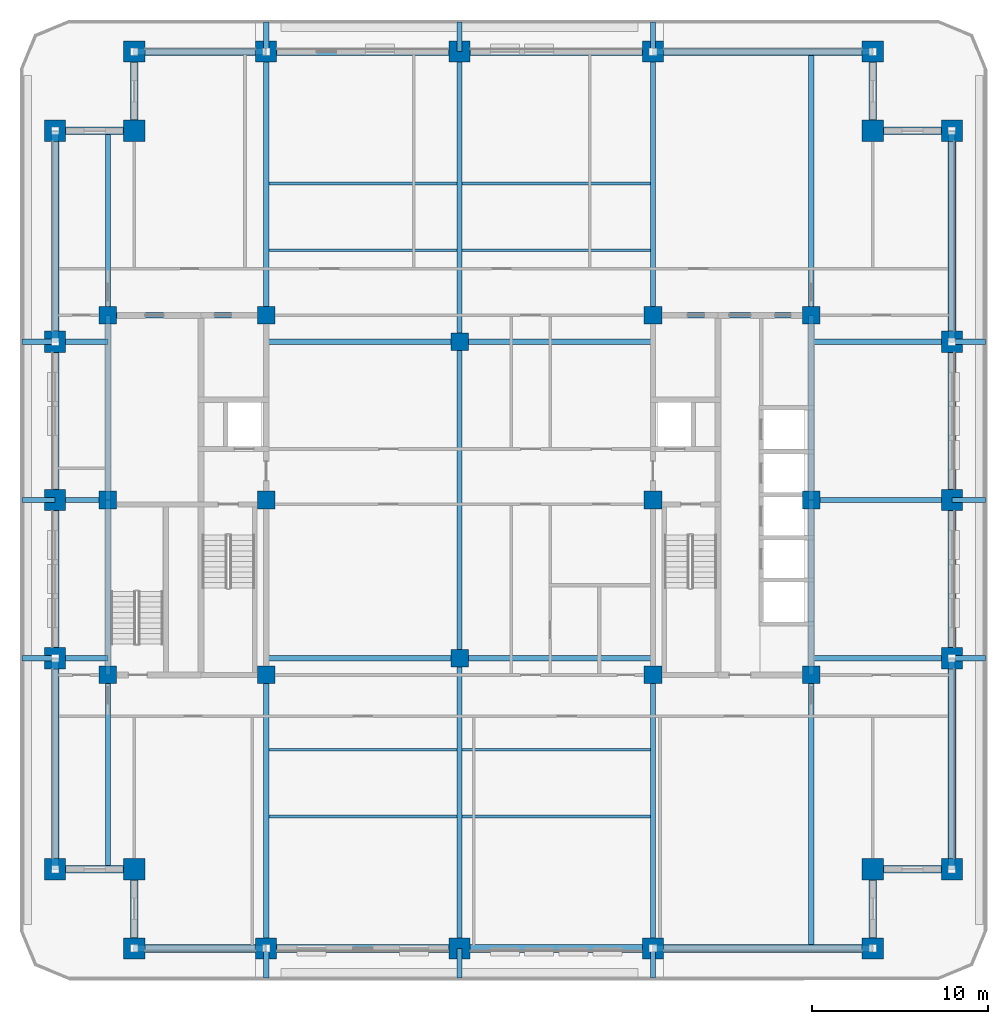
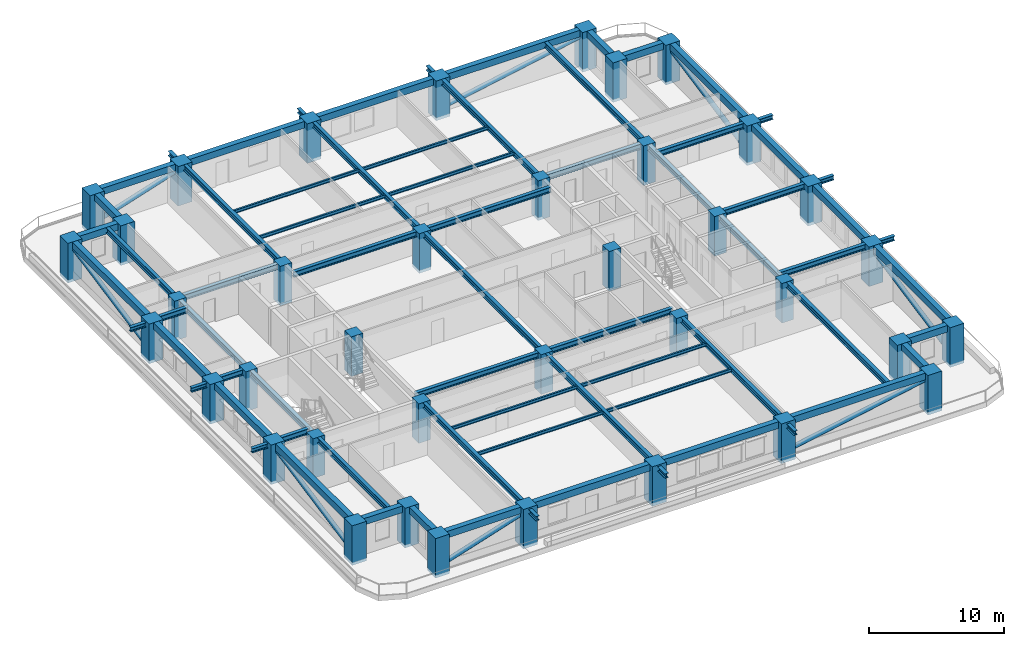
# One storey, part 1 of 13: 71 beams, 38 columns, 8 members.
"""IFC4 building model written with IfcOpenShell, lengths in metres."""

import ifcopenshell
import ifcopenshell.guid

model = None  # the IFC model being written
_history = None  # IfcOwnerHistory: only IFC2X3 demands one
_inside = {}  # id of a spatial element -> (the spatial element, [elements in it])
_under = {}  # id of a project, library or spatial element -> (it, [spatial elements below it])
_declared = {}  # id of a project -> (the project, [libraries it declares])
_typed = {}  # id of a type object -> (the type object, [elements of that type])
_made_of = {}  # id of a material, layer set ... -> (it, [elements and type objects made of it])


def new_model(schema):
    """Start an empty IFC model of exactly this schema.

    Asked for "IFC4X3", IfcOpenShell would pick the latest addendum, in which some entities
    have other attributes; the version numbers below select the first issue.
    IFC2X3 requires an IfcOwnerHistory on every rooted entity: one is made here for all.
    """
    global model, _history
    if schema == "IFC4X3":
        model = ifcopenshell.file(schema_version=(4, 3, 0, 0))
    else:
        model = ifcopenshell.file(schema=schema)
    _inside.clear()
    _under.clear()
    _declared.clear()
    _typed.clear()
    _made_of.clear()
    _history = None
    if model.schema == "IFC2X3":
        org = make("IfcOrganization", Name="unknown")
        user = make(
            "IfcPersonAndOrganization",
            ThePerson=make("IfcPerson", FamilyName="unknown"),
            TheOrganization=org,
        )
        app = make(
            "IfcApplication",
            ApplicationDeveloper=org,
            Version="unknown",
            ApplicationFullName="unknown",
            ApplicationIdentifier="unknown",
        )
        _history = make(
            "IfcOwnerHistory",
            OwningUser=user,
            OwningApplication=app,
            ChangeAction="ADDED",
            CreationDate=0,
        )
    return model


def make(cls, **values):
    """One entity of the class cls with the attributes given. An attribute that is None is left unset."""
    return model.create_entity(
        cls, **{name: value for name, value in values.items() if value is not None}
    )


def rooted(cls, **values):
    """An entity with a GlobalId (a new one), such as an element, a storey or a relation."""
    return make(cls, GlobalId=ifcopenshell.guid.new(), OwnerHistory=_history, **values)


def si_unit(unit_type, name, prefix=None):
    """IfcSIUnit, for example si_unit("LENGTHUNIT", "METRE", prefix="MILLI")."""
    return make("IfcSIUnit", UnitType=unit_type, Prefix=prefix, Name=name)


def assignment(units):
    """IfcUnitAssignment: the units of a project."""
    return None if units is None else make("IfcUnitAssignment", Units=units)


def point(xyz):
    """IfcCartesianPoint."""
    return None if xyz is None else make("IfcCartesianPoint", Coordinates=xyz)


def direction(xyz):
    """IfcDirection."""
    return None if xyz is None else make("IfcDirection", DirectionRatios=xyz)


def frame(location, z_axis=None, x_axis=None):
    """IfcAxis2Placement3D, a coordinate frame: its origin and axes. An axis left out is left unset."""
    return make(
        "IfcAxis2Placement3D",
        Location=point(location),
        Axis=direction(z_axis),
        RefDirection=direction(x_axis),
    )


def frame_2d(location, x_axis=None):
    """IfcAxis2Placement2D, a coordinate frame in the plane: its origin and x axis."""
    return make(
        "IfcAxis2Placement2D", Location=point(location), RefDirection=direction(x_axis)
    )


def origin():
    """The frame at (0, 0, 0) with its axes left unset."""
    return frame((0.0, 0.0, 0.0))


def origin_2d():
    """The frame at (0, 0) in the plane with its x axis left unset."""
    return frame_2d((0.0, 0.0))


def place(relative_to, where):
    """IfcLocalPlacement: puts the frame where relative to a parent placement (None: the world)."""
    return make(
        "IfcLocalPlacement", PlacementRelTo=relative_to, RelativePlacement=where
    )


def context(
    kind, dimensions, precision=None, world=None, true_north=None, identifier=None
):
    """IfcGeometricRepresentationContext, for example the 3D "Model" context."""
    return make(
        "IfcGeometricRepresentationContext",
        ContextIdentifier=identifier,
        ContextType=kind,
        CoordinateSpaceDimension=dimensions,
        Precision=precision,
        WorldCoordinateSystem=world,
        TrueNorth=true_north,
    )


def subcontext(parent, identifier, kind, view, scale=None):
    """IfcGeometricRepresentationSubContext, for example "Body" below "Model"."""
    return make(
        "IfcGeometricRepresentationSubContext",
        ContextIdentifier=identifier,
        ContextType=kind,
        ParentContext=parent,
        TargetScale=scale,
        TargetView=view,
    )


def project(units=None, contexts=None):
    """IfcProject with its units and contexts."""
    return rooted(
        "IfcProject",
        Name="project",
        RepresentationContexts=contexts,
        UnitsInContext=assignment(units),
    )


def spatial(cls, under=None, at=None, **own):
    """A site, building, storey or space (cls), placed at a placement, below another one or the project."""
    s = rooted(cls, ObjectPlacement=at, **own)
    if under is not None:
        _under.setdefault(under.id(), (under, []))[1].append(s)
    return s


def profile(cls, at=None, kind="AREA", **sizes):
    """A parametric profile (cls). Its sizes go by their IFC names, for example OverallWidth=200.0."""
    return make(cls, ProfileType=kind, Position=at, **sizes)


def rectangle(**sizes):
    """IfcRectangleProfileDef."""
    return profile("IfcRectangleProfileDef", **sizes)


def hollow_circle(**sizes):
    """IfcCircleHollowProfileDef."""
    return profile("IfcCircleHollowProfileDef", **sizes)


def i_section(**sizes):
    """IfcIShapeProfileDef."""
    return profile("IfcIShapeProfileDef", **sizes)


def extrude(swept, where, along, depth):
    """IfcExtrudedAreaSolid: the profile swept, set in the frame where, extruded along a direction by depth."""
    return make(
        "IfcExtrudedAreaSolid",
        SweptArea=swept,
        Position=where,
        ExtrudedDirection=direction(along),
        Depth=depth,
    )


def shape(context_of_items, identifier, shape_type, items):
    """IfcShapeRepresentation: the items that make up one representation, for example the "Body"."""
    return make(
        "IfcShapeRepresentation",
        ContextOfItems=context_of_items,
        RepresentationIdentifier=identifier,
        RepresentationType=shape_type,
        Items=items,
    )


def material(Name=None, Category=None):
    """IfcMaterial."""
    return make("IfcMaterial", Name=Name, Category=Category)


def material_profile(
    of_material, cross_section, Name=None, Category=None, Priority=None
):
    """IfcMaterialProfile: a cross section and its material."""
    return make(
        "IfcMaterialProfile",
        Name=Name,
        Material=of_material,
        Profile=cross_section,
        Priority=Priority,
        Category=Category,
    )


def profile_set(profiles, Name=None, composite=None):
    """IfcMaterialProfileSet."""
    return make(
        "IfcMaterialProfileSet",
        Name=Name,
        MaterialProfiles=profiles,
        CompositeProfile=composite,
    )


def made_of(thing, what):
    """Note that an element or type object is made of a material, layer set ...; save() writes the relation."""
    if what is not None:
        _made_of.setdefault(what.id(), (what, []))[1].append(thing)
    return thing


def type_object(cls, material=None, **own):
    """A type object (cls), such as IfcWallType, which elements share."""
    return made_of(rooted(cls, **own), material)


def element(
    cls,
    number,
    at=None,
    inside=None,
    cuts=None,
    type_object=None,
    material=None,
    context=None,
    identifier="Body",
    shape_type=None,
    held_by="IfcProductDefinitionShape",
    body=None,
    shapes=None,
    **own,
):
    """One element of the class cls, such as IfcWall. Its Tag is "e" and its number.

    at: its placement. inside: the storey or other place that contains it. cuts: it is an
    opening in that element (IfcRelVoidsElement). A single representation is given by context,
    identifier, shape_type and body (its items); several are given by shapes. held_by: the class
    of the entity that holds the representations. save() writes the other relations.
    """
    e = rooted(cls, Tag="e%d" % number, ObjectPlacement=at, **own)
    if body is not None:
        shapes = [shape(context, identifier, shape_type, body)]
    if shapes is not None:
        e.Representation = make(held_by, Representations=shapes)
    if inside is not None:
        _inside.setdefault(inside.id(), (inside, []))[1].append(e)
    if cuts is not None:
        rooted(
            "IfcRelVoidsElement", RelatingBuildingElement=cuts, RelatedOpeningElement=e
        )
    if type_object is not None:
        _typed.setdefault(type_object.id(), (type_object, []))[1].append(e)
    return made_of(e, material)


def aggregate(whole, parts):
    """IfcRelAggregates: a whole, such as a stair, and the parts it consists of."""
    return rooted("IfcRelAggregates", RelatingObject=whole, RelatedObjects=parts)


def save(model, path):
    """Write the relations noted so far, then the file.

    IfcRelAggregates (storeys below a building ...), IfcRelContainedInSpatialStructure (elements
    in a storey), IfcRelDefinesByType, IfcRelAssociatesMaterial and IfcRelDeclares: one each for
    every whole, place, type object, material and project.
    """
    for whole, parts in _under.values():
        aggregate(whole, parts)
    for where, things in _inside.values():
        rooted(
            "IfcRelContainedInSpatialStructure",
            RelatedElements=things,
            RelatingStructure=where,
        )
    for kind, things in _typed.values():
        rooted("IfcRelDefinesByType", RelatedObjects=things, RelatingType=kind)
    for what, things in _made_of.values():
        rooted("IfcRelAssociatesMaterial", RelatedObjects=things, RelatingMaterial=what)
    for by, libraries in _declared.values():
        rooted("IfcRelDeclares", RelatingContext=by, RelatedDefinitions=libraries)
    model.write(path)


model = new_model("IFC4")

# Units and contexts
model_context = context("Model", 3, precision=1e-05, world=origin(), true_north=direction((0.0, 1.0)))
body_context = subcontext(model_context, "Body", "Model", "MODEL_VIEW")
ifc_project = project(units=[si_unit("LENGTHUNIT", "METRE"), si_unit("AREAUNIT", "SQUARE_METRE"), si_unit("VOLUMEUNIT", "CUBIC_METRE"), si_unit("PLANEANGLEUNIT", "RADIAN"), si_unit("MASSUNIT", "GRAM", prefix="KILO")], contexts=[model_context])

# Site, building, storey
site_placement = place(None, origin())
site = spatial("IfcSite", under=ifc_project, at=site_placement, CompositionType="ELEMENT")
building_placement = place(site_placement, origin())
building = spatial("IfcBuilding", under=site, at=building_placement, Name="Zulmaris Gate Convention Tower", CompositionType="ELEMENT")
storey_placement = place(building_placement, frame((0.0, 0.0, 105.639892578125)))
storey = spatial("IfcBuildingStorey", under=building, at=storey_placement, Name="L26", CompositionType="ELEMENT", Elevation=105.639892578125)

# Columns
ifc_material_1 = material(Name="Concrete C60/75", Category="concrete")
ifc_material_profile_1 = material_profile(ifc_material_1, rectangle(XDim=1.0, YDim=1.0, at=origin_2d()), Name="RC COL 1000x1000")
ifc_profile_set_1 = profile_set([ifc_material_profile_1], Name="Concrete C60/75")
column_type_1 = type_object("IfcColumnType", Name="COL-RC1000", PredefinedType="COLUMN", material=ifc_profile_set_1)
for number, where, z_axis, x_axis, name in (
    (1, (-20.0, -9.949951171875, -0.25), (0.0, 0.0, 1.0), (1.0, 0.0, 0.0), "L26 Column IN--20.00_-9.95"),
    (2, (-20.0, 10.5, -0.25), (0.0, 0.0, 1.0), (1.0, 0.0, 0.0), "L26 Column IN--20.00_+10.50"),
    (3, (-11.0, -9.949951171875, -0.25), (0.0, 0.0, 1.0), (1.0, 0.0, 0.0), "L26 Column IN--11.00_-9.95"),
    (4, (-11.0, 0.0, -0.25), (0.0, 0.0, 1.0), (1.0, 0.0, 0.0), "L26 Column IN--11.00_+0.00"),
    (5, (-11.0, 10.5, -0.25), (0.0, 0.0, 1.0), (1.0, 0.0, 0.0), "L26 Column IN--11.00_+10.50"),
    (6, (11.0, -9.949951171875, -0.25), (0.0, 0.0, 1.0), (1.0, 0.0, 0.0), "L26 Column IN-+11.00_-9.95"),
    (7, (11.0, 0.0, -0.25), (0.0, 0.0, 1.0), (1.0, 0.0, 0.0), "L26 Column IN-+11.00_+0.00"),
    (8, (11.0, 10.5, -0.25), (0.0, 0.0, 1.0), (1.0, 0.0, 0.0), "L26 Column IN-+11.00_+10.50"),
    (9, (20.0, -9.949951171875, -0.25), (0.0, 0.0, 1.0), (1.0, 0.0, 0.0), "L26 Column IN-+20.00_-9.95"),
    (10, (20.0, 10.5, -0.25), (0.0, 0.0, 1.0), (1.0, 0.0, 0.0), "L26 Column IN-+20.00_+10.50"),
    (11, (0.0, -9.0, -0.25), (0.0, 0.0, 1.0), (1.0, 0.0, 0.0), "L26 Column IN-+0.00_-9.00"),
    (12, (0.0, 9.0, -0.25), (0.0, 0.0, 1.0), (1.0, 0.0, 0.0), "L26 Column IN-+0.00_+9.00"),
    (13, (-20.0, 0.0, -0.25), (0.0, 0.0, 1.0), (1.0, 0.0, 0.0), "L26 Column IN--20.00_+0.00"),
    (14, (20.0, 0.0, -0.25), (0.0, 0.0, 1.0), (1.0, 0.0, 0.0), "L26 Column IN-+20.00_+0.00"),
):
    element("IfcColumn", number, at=place(storey_placement, frame(where, z_axis=z_axis, x_axis=x_axis)), inside=storey, type_object=column_type_1, Name=name, PredefinedType="COLUMN", context=body_context, shape_type="SweptSolid", body=[
        extrude(rectangle(XDim=1.0, YDim=1.0, at=origin_2d()), origin(), (0.0, 0.0, 1.0), 3.570068359375),
    ])
ifc_material_2 = material(Name="Concrete C70/85", Category="concrete")
ifc_material_profile_2 = material_profile(ifc_material_2, rectangle(XDim=1.199951171875, YDim=1.199951171875, at=origin_2d()), Name="RC COL 1200x1200")
ifc_profile_set_2 = profile_set([ifc_material_profile_2], Name="Concrete C70/85")
column_type_2 = type_object("IfcColumnType", Name="COL-RC1200", PredefinedType="COLUMN", material=ifc_profile_set_2)
for number, where, z_axis, x_axis, name in (
    (15, (-18.5, -25.5, -0.25), (0.0, 0.0, 1.0), (1.0, 0.0, 0.0), "L26 Column PT--18.50_-25.50"),
    (16, (-11.0, -25.5, -0.25), (0.0, 0.0, 1.0), (1.0, 0.0, 0.0), "L26 Column PT--11.00_-25.50"),
    (17, (0.0, -25.5, -0.25), (0.0, 0.0, 1.0), (1.0, 0.0, 0.0), "L26 Column PT-+0.00_-25.50"),
    (18, (11.0, -25.5, -0.25), (0.0, 0.0, 1.0), (1.0, 0.0, 0.0), "L26 Column PT-+11.00_-25.50"),
    (19, (23.5, -25.5, -0.25), (0.0, 0.0, 1.0), (1.0, 0.0, 0.0), "L26 Column PT-+23.50_-25.50"),
    (20, (-18.5, 25.5, -0.25), (0.0, 0.0, 1.0), (1.0, 0.0, 0.0), "L26 Column PT--18.50_+25.50"),
    (21, (-11.0, 25.5, -0.25), (0.0, 0.0, 1.0), (1.0, 0.0, 0.0), "L26 Column PT--11.00_+25.50"),
    (22, (0.0, 25.5, -0.25), (0.0, 0.0, 1.0), (1.0, 0.0, 0.0), "L26 Column PT-+0.00_+25.50"),
    (23, (11.0, 25.5, -0.25), (0.0, 0.0, 1.0), (1.0, 0.0, 0.0), "L26 Column PT-+11.00_+25.50"),
    (24, (23.5, 25.5, -0.25), (0.0, 0.0, 1.0), (1.0, 0.0, 0.0), "L26 Column PT-+23.50_+25.50"),
    (25, (-23.0, -21.0, -0.25), (0.0, 0.0, 1.0), (1.0, 0.0, 0.0), "L26 Column PT--23.00_-21.00"),
    (26, (-23.0, -9.0, -0.25), (0.0, 0.0, 1.0), (1.0, 0.0, 0.0), "L26 Column PT--23.00_-9.00"),
    (27, (-23.0, 0.0, -0.25), (0.0, 0.0, 1.0), (1.0, 0.0, 0.0), "L26 Column PT--23.00_+0.00"),
    (28, (-23.0, 9.0, -0.25), (0.0, 0.0, 1.0), (1.0, 0.0, 0.0), "L26 Column PT--23.00_+9.00"),
    (29, (-23.0, 21.0, -0.25), (0.0, 0.0, 1.0), (1.0, 0.0, 0.0), "L26 Column PT--23.00_+21.00"),
    (30, (28.0, -21.0, -0.25), (0.0, 0.0, 1.0), (1.0, 0.0, 0.0), "L26 Column PT-+28.00_-21.00"),
    (31, (28.0, -9.0, -0.25), (0.0, 0.0, 1.0), (1.0, 0.0, 0.0), "L26 Column PT-+28.00_-9.00"),
    (32, (28.0, 0.0, -0.25), (0.0, 0.0, 1.0), (1.0, 0.0, 0.0), "L26 Column PT-+28.00_+0.00"),
    (33, (28.0, 9.0, -0.25), (0.0, 0.0, 1.0), (1.0, 0.0, 0.0), "L26 Column PT-+28.00_+9.00"),
    (34, (28.0, 21.0, -0.25), (0.0, 0.0, 1.0), (1.0, 0.0, 0.0), "L26 Column PT-+28.00_+21.00"),
    (35, (-18.5, -21.0, -0.25), (0.0, 0.0, 1.0), (1.0, 0.0, 0.0), "L26 Column PT--18.50_-21.00"),
    (36, (23.5, -21.0, -0.25), (0.0, 0.0, 1.0), (1.0, 0.0, 0.0), "L26 Column PT-+23.50_-21.00"),
    (37, (23.5, 21.0, -0.25), (0.0, 0.0, 1.0), (1.0, 0.0, 0.0), "L26 Column PT-+23.50_+21.00"),
    (38, (-18.5, 21.0, -0.25), (0.0, 0.0, 1.0), (1.0, 0.0, 0.0), "L26 Column PT--18.50_+21.00"),
):
    element("IfcColumn", number, at=place(storey_placement, frame(where, z_axis=z_axis, x_axis=x_axis)), inside=storey, type_object=column_type_2, Name=name, PredefinedType="COLUMN", context=body_context, shape_type="SweptSolid", body=[
        extrude(rectangle(XDim=1.199951171875, YDim=1.199951171875, at=origin_2d()), origin(), (0.0, 0.0, 1.0), 3.570068359375),
    ])

# Beams
ifc_material_3 = material(Name="Steel S355", Category="steel")
ifc_material_profile_3 = material_profile(ifc_material_3, i_section(OverallWidth=0.300048828125, OverallDepth=0.39990234375, WebThickness=0.013427734375, FlangeThickness=0.02392578125, FilletRadius=0.027099609375, at=origin_2d()), Name="HEB 400")
ifc_profile_set_3 = profile_set([ifc_material_profile_3], Name="Steel S355")
beam_type_1 = type_object("IfcBeamType", Name="BM-HEB400", PredefinedType="BEAM", material=ifc_profile_set_3)
for number, where, z_axis, x_axis, name in (
    (39, (-11.0, -27.199951171875, 2.980224609375), (0.0, 1.0, 0.0), (-1.0, 0.0, 0.0), "L26 Beam TBRK-L26-S--11"),
    (40, (-11.0, 25.5, 2.980224609375), (0.0, 1.0, 0.0), (-1.0, 0.0, 0.0), "L26 Beam TBRK-L26-N--11"),
    (41, (0.0, -27.199951171875, 2.980224609375), (0.0, 1.0, 0.0), (-1.0, 0.0, 0.0), "L26 Beam TBRK-L26-S-+0"),
    (42, (0.0, 25.5, 2.980224609375), (0.0, 1.0, 0.0), (-1.0, 0.0, 0.0), "L26 Beam TBRK-L26-N-+0"),
    (43, (11.0, -27.199951171875, 2.980224609375), (0.0, 1.0, 0.0), (-1.0, 0.0, 0.0), "L26 Beam TBRK-L26-S-+11"),
    (44, (11.0, 25.5, 2.980224609375), (0.0, 1.0, 0.0), (-1.0, 0.0, 0.0), "L26 Beam TBRK-L26-N-+11"),
):
    element("IfcBeam", number, at=place(storey_placement, frame(where, z_axis=z_axis, x_axis=x_axis)), inside=storey, type_object=beam_type_1, Name=name, PredefinedType="BEAM", context=body_context, shape_type="SweptSolid", body=[
        extrude(i_section(OverallWidth=0.300048828125, OverallDepth=0.39990234375, WebThickness=0.013427734375, FlangeThickness=0.02392578125, FilletRadius=0.027099609375, at=origin_2d()), origin(), (0.0, 0.0, 1.0), 1.699951171875),
    ])
for number, where, z_axis, x_axis, name in (
    (45, (-24.89990234375, -9.0, 2.980224609375), (1.0, 0.0, 0.0), (0.0, 1.0, 0.0), "L26 Beam TBRK-L26-W--9"),
    (46, (28.0, -9.0, 2.980224609375), (1.0, 0.0, 0.0), (0.0, 1.0, 0.0), "L26 Beam TBRK-L26-E--9"),
    (47, (-24.89990234375, 0.0, 2.980224609375), (1.0, 0.0, 0.0), (0.0, 1.0, 0.0), "L26 Beam TBRK-L26-W-+0"),
    (48, (28.0, 0.0, 2.980224609375), (1.0, 0.0, 0.0), (0.0, 1.0, 0.0), "L26 Beam TBRK-L26-E-+0"),
    (49, (-24.89990234375, 9.0, 2.980224609375), (1.0, 0.0, 0.0), (0.0, 1.0, 0.0), "L26 Beam TBRK-L26-W-+9"),
    (50, (28.0, 9.0, 2.980224609375), (1.0, 0.0, 0.0), (0.0, 1.0, 0.0), "L26 Beam TBRK-L26-E-+9"),
):
    element("IfcBeam", number, at=place(storey_placement, frame(where, z_axis=z_axis, x_axis=x_axis)), inside=storey, type_object=beam_type_1, Name=name, PredefinedType="BEAM", context=body_context, shape_type="SweptSolid", body=[
        extrude(i_section(OverallWidth=0.300048828125, OverallDepth=0.39990234375, WebThickness=0.013427734375, FlangeThickness=0.02392578125, FilletRadius=0.027099609375, at=origin_2d()), origin(), (0.0, 0.0, 1.0), 1.89990234375),
    ])
ifc_material_profile_4 = material_profile(ifc_material_3, i_section(OverallWidth=0.300048828125, OverallDepth=0.5, WebThickness=0.014404296875, FlangeThickness=0.028076171875, FilletRadius=0.027099609375, at=origin_2d()), Name="HEB 500")
ifc_profile_set_4 = profile_set([ifc_material_profile_4], Name="Steel S355")
beam_type_2 = type_object("IfcBeamType", Name="BM-HEB500", PredefinedType="BEAM", material=ifc_profile_set_4)
for number, where, z_axis, x_axis, name in (
    (51, (-11.0, -9.0, 3.068115234375), (1.0, 0.0, 0.0), (0.0, 1.0, 0.0), "L26 Beam BM-L26-G01"),
    (52, (0.0, -9.0, 3.068115234375), (1.0, 0.0, 0.0), (0.0, 1.0, 0.0), "L26 Beam BM-L26-G02"),
    (53, (-11.0, 9.0, 3.068115234375), (1.0, 0.0, 0.0), (0.0, 1.0, 0.0), "L26 Beam BM-L26-G03"),
    (54, (0.0, 9.0, 3.068115234375), (1.0, 0.0, 0.0), (0.0, 1.0, 0.0), "L26 Beam BM-L26-G04"),
):
    element("IfcBeam", number, at=place(storey_placement, frame(where, z_axis=z_axis, x_axis=x_axis)), inside=storey, type_object=beam_type_2, Name=name, PredefinedType="BEAM", context=body_context, shape_type="SweptSolid", body=[
        extrude(i_section(OverallWidth=0.300048828125, OverallDepth=0.5, WebThickness=0.014404296875, FlangeThickness=0.028076171875, FilletRadius=0.027099609375, at=origin_2d()), origin(), (0.0, 0.0, 1.0), 11.0),
    ])
beam_1_placement = place(storey_placement, frame((0.0, -25.5, 3.068115234375), z_axis=(0.0, 1.0, 0.0), x_axis=(-1.0, 0.0, 0.0)))
element("IfcBeam", 55, at=beam_1_placement, inside=storey, type_object=beam_type_2, Name="L26 Beam BM-L26-G05", PredefinedType="BEAM", context=body_context, shape_type="SweptSolid", body=[
    extrude(i_section(OverallWidth=0.300048828125, OverallDepth=0.5, WebThickness=0.014404296875, FlangeThickness=0.028076171875, FilletRadius=0.027099609375, at=origin_2d()), origin(), (0.0, 0.0, 1.0), 16.5),
])
beam_2_placement = place(storey_placement, frame((0.0, -9.0, 3.068115234375), z_axis=(0.0, 1.0, 0.0), x_axis=(-1.0, 0.0, 0.0)))
element("IfcBeam", 56, at=beam_2_placement, inside=storey, type_object=beam_type_2, Name="L26 Beam BM-L26-G06", PredefinedType="BEAM", context=body_context, shape_type="SweptSolid", body=[
    extrude(i_section(OverallWidth=0.300048828125, OverallDepth=0.5, WebThickness=0.014404296875, FlangeThickness=0.028076171875, FilletRadius=0.027099609375, at=origin_2d()), origin(), (0.0, 0.0, 1.0), 18.0),
])
beam_3_placement = place(storey_placement, frame((0.0, 9.0, 3.068115234375), z_axis=(0.0, 1.0, 0.0), x_axis=(-1.0, 0.0, 0.0)))
element("IfcBeam", 57, at=beam_3_placement, inside=storey, type_object=beam_type_2, Name="L26 Beam BM-L26-G07", PredefinedType="BEAM", context=body_context, shape_type="SweptSolid", body=[
    extrude(i_section(OverallWidth=0.300048828125, OverallDepth=0.5, WebThickness=0.014404296875, FlangeThickness=0.028076171875, FilletRadius=0.027099609375, at=origin_2d()), origin(), (0.0, 0.0, 1.0), 16.5),
])
beam_4_placement = place(storey_placement, frame((-11.0, -25.5, 3.068115234375), z_axis=(0.0, 1.0, 0.0), x_axis=(-1.0, 0.0, 0.0)))
element("IfcBeam", 58, at=beam_4_placement, inside=storey, type_object=beam_type_2, Name="L26 Beam BM-L26-G08", PredefinedType="BEAM", context=body_context, shape_type="SweptSolid", body=[
    extrude(i_section(OverallWidth=0.300048828125, OverallDepth=0.5, WebThickness=0.014404296875, FlangeThickness=0.028076171875, FilletRadius=0.027099609375, at=origin_2d()), origin(), (0.0, 0.0, 1.0), 15.550048828125),
])
beam_5_placement = place(storey_placement, frame((-11.0, 10.5, 3.068115234375), z_axis=(0.0, 1.0, 0.0), x_axis=(-1.0, 0.0, 0.0)))
element("IfcBeam", 59, at=beam_5_placement, inside=storey, type_object=beam_type_2, Name="L26 Beam BM-L26-G09", PredefinedType="BEAM", context=body_context, shape_type="SweptSolid", body=[
    extrude(i_section(OverallWidth=0.300048828125, OverallDepth=0.5, WebThickness=0.014404296875, FlangeThickness=0.028076171875, FilletRadius=0.027099609375, at=origin_2d()), origin(), (0.0, 0.0, 1.0), 15.0),
])
beam_6_placement = place(storey_placement, frame((11.0, -25.5, 3.068115234375), z_axis=(0.0, 1.0, 0.0), x_axis=(-1.0, 0.0, 0.0)))
element("IfcBeam", 60, at=beam_6_placement, inside=storey, type_object=beam_type_2, Name="L26 Beam BM-L26-G10", PredefinedType="BEAM", context=body_context, shape_type="SweptSolid", body=[
    extrude(i_section(OverallWidth=0.300048828125, OverallDepth=0.5, WebThickness=0.014404296875, FlangeThickness=0.028076171875, FilletRadius=0.027099609375, at=origin_2d()), origin(), (0.0, 0.0, 1.0), 15.550048828125),
])
beam_7_placement = place(storey_placement, frame((11.0, 10.5, 3.068115234375), z_axis=(0.0, 1.0, 0.0), x_axis=(-1.0, 0.0, 0.0)))
element("IfcBeam", 61, at=beam_7_placement, inside=storey, type_object=beam_type_2, Name="L26 Beam BM-L26-G11", PredefinedType="BEAM", context=body_context, shape_type="SweptSolid", body=[
    extrude(i_section(OverallWidth=0.300048828125, OverallDepth=0.5, WebThickness=0.014404296875, FlangeThickness=0.028076171875, FilletRadius=0.027099609375, at=origin_2d()), origin(), (0.0, 0.0, 1.0), 15.0),
])
beam_8_placement = place(storey_placement, frame((-20.0, -21.0, 3.068115234375), z_axis=(0.0, 1.0, 0.0), x_axis=(-1.0, 0.0, 0.0)))
element("IfcBeam", 62, at=beam_8_placement, inside=storey, type_object=beam_type_2, Name="L26 Beam BM-L26-G12", PredefinedType="BEAM", context=body_context, shape_type="SweptSolid", body=[
    extrude(i_section(OverallWidth=0.300048828125, OverallDepth=0.5, WebThickness=0.014404296875, FlangeThickness=0.028076171875, FilletRadius=0.027099609375, at=origin_2d()), origin(), (0.0, 0.0, 1.0), 11.050048828125),
])
beam_9_placement = place(storey_placement, frame((-20.0, 10.5, 3.068115234375), z_axis=(0.0, 1.0, 0.0), x_axis=(-1.0, 0.0, 0.0)))
element("IfcBeam", 63, at=beam_9_placement, inside=storey, type_object=beam_type_2, Name="L26 Beam BM-L26-G13", PredefinedType="BEAM", context=body_context, shape_type="SweptSolid", body=[
    extrude(i_section(OverallWidth=0.300048828125, OverallDepth=0.5, WebThickness=0.014404296875, FlangeThickness=0.028076171875, FilletRadius=0.027099609375, at=origin_2d()), origin(), (0.0, 0.0, 1.0), 10.5),
])
beam_10_placement = place(storey_placement, frame((20.0, -25.5, 3.068115234375), z_axis=(0.0, 1.0, 0.0), x_axis=(-1.0, 0.0, 0.0)))
element("IfcBeam", 64, at=beam_10_placement, inside=storey, type_object=beam_type_2, Name="L26 Beam BM-L26-G14", PredefinedType="BEAM", context=body_context, shape_type="SweptSolid", body=[
    extrude(i_section(OverallWidth=0.300048828125, OverallDepth=0.5, WebThickness=0.014404296875, FlangeThickness=0.028076171875, FilletRadius=0.027099609375, at=origin_2d()), origin(), (0.0, 0.0, 1.0), 15.550048828125),
])
beam_11_placement = place(storey_placement, frame((20.0, 10.5, 3.068115234375), z_axis=(0.0, 1.0, 0.0), x_axis=(-1.0, 0.0, 0.0)))
element("IfcBeam", 65, at=beam_11_placement, inside=storey, type_object=beam_type_2, Name="L26 Beam BM-L26-G15", PredefinedType="BEAM", context=body_context, shape_type="SweptSolid", body=[
    extrude(i_section(OverallWidth=0.300048828125, OverallDepth=0.5, WebThickness=0.014404296875, FlangeThickness=0.028076171875, FilletRadius=0.027099609375, at=origin_2d()), origin(), (0.0, 0.0, 1.0), 15.0),
])
for number, where, z_axis, x_axis, name in (
    (66, (-23.0, -9.0, 3.068115234375), (1.0, 0.0, 0.0), (0.0, 1.0, 0.0), "L26 Beam BM-L26-G16"),
    (67, (-23.0, 0.0, 3.068115234375), (1.0, 0.0, 0.0), (0.0, 1.0, 0.0), "L26 Beam BM-L26-G17"),
    (68, (-23.0, 9.0, 3.068115234375), (1.0, 0.0, 0.0), (0.0, 1.0, 0.0), "L26 Beam BM-L26-G18"),
):
    element("IfcBeam", number, at=place(storey_placement, frame(where, z_axis=z_axis, x_axis=x_axis)), inside=storey, type_object=beam_type_2, Name=name, PredefinedType="BEAM", context=body_context, shape_type="SweptSolid", body=[
        extrude(i_section(OverallWidth=0.300048828125, OverallDepth=0.5, WebThickness=0.014404296875, FlangeThickness=0.028076171875, FilletRadius=0.027099609375, at=origin_2d()), origin(), (0.0, 0.0, 1.0), 3.0),
    ])
for number, where, z_axis, x_axis, name in (
    (69, (20.0, -9.0, 3.068115234375), (1.0, 0.0, 0.0), (0.0, 1.0, 0.0), "L26 Beam BM-L26-G19"),
    (70, (20.0, 0.0, 3.068115234375), (1.0, 0.0, 0.0), (0.0, 1.0, 0.0), "L26 Beam BM-L26-G20"),
    (71, (20.0, 9.0, 3.068115234375), (1.0, 0.0, 0.0), (0.0, 1.0, 0.0), "L26 Beam BM-L26-G21"),
):
    element("IfcBeam", number, at=place(storey_placement, frame(where, z_axis=z_axis, x_axis=x_axis)), inside=storey, type_object=beam_type_2, Name=name, PredefinedType="BEAM", context=body_context, shape_type="SweptSolid", body=[
        extrude(i_section(OverallWidth=0.300048828125, OverallDepth=0.5, WebThickness=0.014404296875, FlangeThickness=0.028076171875, FilletRadius=0.027099609375, at=origin_2d()), origin(), (0.0, 0.0, 1.0), 8.0),
    ])
for number, where, z_axis, x_axis, name in (
    (72, (-20.0, 10.5, 3.068115234375), (1.0, 0.0, 0.0), (0.0, 1.0, 0.0), "L26 Beam BM-L26-G23"),
    (73, (11.0, 10.5, 3.068115234375), (1.0, 0.0, 0.0), (0.0, 1.0, 0.0), "L26 Beam BM-L26-G25"),
):
    element("IfcBeam", number, at=place(storey_placement, frame(where, z_axis=z_axis, x_axis=x_axis)), inside=storey, type_object=beam_type_2, Name=name, PredefinedType="BEAM", context=body_context, shape_type="SweptSolid", body=[
        extrude(i_section(OverallWidth=0.300048828125, OverallDepth=0.5, WebThickness=0.014404296875, FlangeThickness=0.028076171875, FilletRadius=0.027099609375, at=origin_2d()), origin(), (0.0, 0.0, 1.0), 9.0),
    ])
beam_12_placement = place(storey_placement, frame((-20.0, -9.949951171875, 3.068115234375), z_axis=(0.0, 1.0, 0.0), x_axis=(-1.0, 0.0, 0.0)))
element("IfcBeam", 74, at=beam_12_placement, inside=storey, type_object=beam_type_2, Name="L26 Beam BM-L26-G26", PredefinedType="BEAM", context=body_context, shape_type="SweptSolid", body=[
    extrude(i_section(OverallWidth=0.300048828125, OverallDepth=0.5, WebThickness=0.014404296875, FlangeThickness=0.028076171875, FilletRadius=0.027099609375, at=origin_2d()), origin(), (0.0, 0.0, 1.0), 9.949951171875),
])
beam_13_placement = place(storey_placement, frame((-20.0, 0.0, 3.068115234375), z_axis=(0.0, 1.0, 0.0), x_axis=(-1.0, 0.0, 0.0)))
element("IfcBeam", 75, at=beam_13_placement, inside=storey, type_object=beam_type_2, Name="L26 Beam BM-L26-G27", PredefinedType="BEAM", context=body_context, shape_type="SweptSolid", body=[
    extrude(i_section(OverallWidth=0.300048828125, OverallDepth=0.5, WebThickness=0.014404296875, FlangeThickness=0.028076171875, FilletRadius=0.027099609375, at=origin_2d()), origin(), (0.0, 0.0, 1.0), 10.5),
])
beam_14_placement = place(storey_placement, frame((20.0, -9.949951171875, 3.068115234375), z_axis=(0.0, 1.0, 0.0), x_axis=(-1.0, 0.0, 0.0)))
element("IfcBeam", 76, at=beam_14_placement, inside=storey, type_object=beam_type_2, Name="L26 Beam BM-L26-G28", PredefinedType="BEAM", context=body_context, shape_type="SweptSolid", body=[
    extrude(i_section(OverallWidth=0.300048828125, OverallDepth=0.5, WebThickness=0.014404296875, FlangeThickness=0.028076171875, FilletRadius=0.027099609375, at=origin_2d()), origin(), (0.0, 0.0, 1.0), 9.949951171875),
])
beam_15_placement = place(storey_placement, frame((20.0, 0.0, 3.068115234375), z_axis=(0.0, 1.0, 0.0), x_axis=(-1.0, 0.0, 0.0)))
element("IfcBeam", 77, at=beam_15_placement, inside=storey, type_object=beam_type_2, Name="L26 Beam BM-L26-G29", PredefinedType="BEAM", context=body_context, shape_type="SweptSolid", body=[
    extrude(i_section(OverallWidth=0.300048828125, OverallDepth=0.5, WebThickness=0.014404296875, FlangeThickness=0.028076171875, FilletRadius=0.027099609375, at=origin_2d()), origin(), (0.0, 0.0, 1.0), 10.5),
])
ifc_material_4 = material(Name="Precast concrete C50/60", Category="concrete")
ifc_material_profile_5 = material_profile(ifc_material_4, rectangle(XDim=0.449951171875, YDim=0.60009765625, at=origin_2d()), Name="RC SPANDREL 450x600")
ifc_profile_set_5 = profile_set([ifc_material_profile_5], Name="Precast concrete C50/60")
beam_type_3 = type_object("IfcBeamType", Name="BM-SP450x600", PredefinedType="SPANDREL", material=ifc_profile_set_5)
beam_16_placement = place(storey_placement, frame((-18.5, -25.5, 3.02001953125), z_axis=(1.0, 0.0, 0.0), x_axis=(0.0, 1.0, 0.0)))
element("IfcBeam", 78, at=beam_16_placement, inside=storey, type_object=beam_type_3, Name="L26 Spandrel SP-L26-01", PredefinedType="SPANDREL", context=body_context, shape_type="SweptSolid", body=[
    extrude(rectangle(XDim=0.449951171875, YDim=0.60009765625, at=origin_2d()), origin(), (0.0, 0.0, 1.0), 7.5),
])
for number, where, z_axis, x_axis, name in (
    (79, (-11.0, -25.5, 3.02001953125), (1.0, 0.0, 0.0), (0.0, 1.0, 0.0), "L26 Spandrel SP-L26-02"),
    (80, (0.0, -25.5, 3.02001953125), (1.0, 0.0, 0.0), (0.0, 1.0, 0.0), "L26 Spandrel SP-L26-03"),
):
    element("IfcBeam", number, at=place(storey_placement, frame(where, z_axis=z_axis, x_axis=x_axis)), inside=storey, type_object=beam_type_3, Name=name, PredefinedType="SPANDREL", context=body_context, shape_type="SweptSolid", body=[
        extrude(rectangle(XDim=0.449951171875, YDim=0.60009765625, at=origin_2d()), origin(), (0.0, 0.0, 1.0), 11.0),
    ])
beam_17_placement = place(storey_placement, frame((11.0, -25.5, 3.02001953125), z_axis=(1.0, 0.0, 0.0), x_axis=(0.0, 1.0, 0.0)))
element("IfcBeam", 81, at=beam_17_placement, inside=storey, type_object=beam_type_3, Name="L26 Spandrel SP-L26-04", PredefinedType="SPANDREL", context=body_context, shape_type="SweptSolid", body=[
    extrude(rectangle(XDim=0.449951171875, YDim=0.60009765625, at=origin_2d()), origin(), (0.0, 0.0, 1.0), 12.5),
])
for number, where, z_axis, x_axis, name in (
    (82, (23.5, -25.5, 3.02001953125), (0.0, 1.0, 0.0), (-1.0, 0.0, 0.0), "L26 Spandrel SP-L26-05"),
    (83, (23.5, -21.0, 3.02001953125), (1.0, 0.0, 0.0), (0.0, 1.0, 0.0), "L26 Spandrel SP-L26-06"),
):
    element("IfcBeam", number, at=place(storey_placement, frame(where, z_axis=z_axis, x_axis=x_axis)), inside=storey, type_object=beam_type_3, Name=name, PredefinedType="SPANDREL", context=body_context, shape_type="SweptSolid", body=[
        extrude(rectangle(XDim=0.449951171875, YDim=0.60009765625, at=origin_2d()), origin(), (0.0, 0.0, 1.0), 4.5),
    ])
beam_18_placement = place(storey_placement, frame((28.0, -21.0, 3.02001953125), z_axis=(0.0, 1.0, 0.0), x_axis=(-1.0, 0.0, 0.0)))
element("IfcBeam", 84, at=beam_18_placement, inside=storey, type_object=beam_type_3, Name="L26 Spandrel SP-L26-07", PredefinedType="SPANDREL", context=body_context, shape_type="SweptSolid", body=[
    extrude(rectangle(XDim=0.449951171875, YDim=0.60009765625, at=origin_2d()), origin(), (0.0, 0.0, 1.0), 12.0),
])
for number, where, z_axis, x_axis, name in (
    (85, (28.0, -9.0, 3.02001953125), (0.0, 1.0, 0.0), (-1.0, 0.0, 0.0), "L26 Spandrel SP-L26-08"),
    (86, (28.0, 0.0, 3.02001953125), (0.0, 1.0, 0.0), (-1.0, 0.0, 0.0), "L26 Spandrel SP-L26-09"),
):
    element("IfcBeam", number, at=place(storey_placement, frame(where, z_axis=z_axis, x_axis=x_axis)), inside=storey, type_object=beam_type_3, Name=name, PredefinedType="SPANDREL", context=body_context, shape_type="SweptSolid", body=[
        extrude(rectangle(XDim=0.449951171875, YDim=0.60009765625, at=origin_2d()), origin(), (0.0, 0.0, 1.0), 9.0),
    ])
beam_19_placement = place(storey_placement, frame((28.0, 9.0, 3.02001953125), z_axis=(0.0, 1.0, 0.0), x_axis=(-1.0, 0.0, 0.0)))
element("IfcBeam", 87, at=beam_19_placement, inside=storey, type_object=beam_type_3, Name="L26 Spandrel SP-L26-10", PredefinedType="SPANDREL", context=body_context, shape_type="SweptSolid", body=[
    extrude(rectangle(XDim=0.449951171875, YDim=0.60009765625, at=origin_2d()), origin(), (0.0, 0.0, 1.0), 12.0),
])
for number, where, z_axis, x_axis, name in (
    (88, (28.0, 21.0, 3.02001953125), (-1.0, 0.0, 0.0), (0.0, -1.0, 0.0), "L26 Spandrel SP-L26-11"),
    (89, (23.5, 21.0, 3.02001953125), (0.0, 1.0, 0.0), (-1.0, 0.0, 0.0), "L26 Spandrel SP-L26-12"),
):
    element("IfcBeam", number, at=place(storey_placement, frame(where, z_axis=z_axis, x_axis=x_axis)), inside=storey, type_object=beam_type_3, Name=name, PredefinedType="SPANDREL", context=body_context, shape_type="SweptSolid", body=[
        extrude(rectangle(XDim=0.449951171875, YDim=0.60009765625, at=origin_2d()), origin(), (0.0, 0.0, 1.0), 4.5),
    ])
beam_20_placement = place(storey_placement, frame((23.5, 25.5, 3.02001953125), z_axis=(-1.0, 0.0, 0.0), x_axis=(0.0, -1.0, 0.0)))
element("IfcBeam", 90, at=beam_20_placement, inside=storey, type_object=beam_type_3, Name="L26 Spandrel SP-L26-13", PredefinedType="SPANDREL", context=body_context, shape_type="SweptSolid", body=[
    extrude(rectangle(XDim=0.449951171875, YDim=0.60009765625, at=origin_2d()), origin(), (0.0, 0.0, 1.0), 12.5),
])
for number, where, z_axis, x_axis, name in (
    (91, (11.0, 25.5, 3.02001953125), (-1.0, 0.0, 0.0), (0.0, -1.0, 0.0), "L26 Spandrel SP-L26-14"),
    (92, (0.0, 25.5, 3.02001953125), (-1.0, 0.0, 0.0), (0.0, -1.0, 0.0), "L26 Spandrel SP-L26-15"),
):
    element("IfcBeam", number, at=place(storey_placement, frame(where, z_axis=z_axis, x_axis=x_axis)), inside=storey, type_object=beam_type_3, Name=name, PredefinedType="SPANDREL", context=body_context, shape_type="SweptSolid", body=[
        extrude(rectangle(XDim=0.449951171875, YDim=0.60009765625, at=origin_2d()), origin(), (0.0, 0.0, 1.0), 11.0),
    ])
beam_21_placement = place(storey_placement, frame((-11.0, 25.5, 3.02001953125), z_axis=(-1.0, 0.0, 0.0), x_axis=(0.0, -1.0, 0.0)))
element("IfcBeam", 93, at=beam_21_placement, inside=storey, type_object=beam_type_3, Name="L26 Spandrel SP-L26-16", PredefinedType="SPANDREL", context=body_context, shape_type="SweptSolid", body=[
    extrude(rectangle(XDim=0.449951171875, YDim=0.60009765625, at=origin_2d()), origin(), (0.0, 0.0, 1.0), 7.5),
])
for number, where, z_axis, x_axis, name in (
    (94, (-18.5, 25.5, 3.02001953125), (0.0, -1.0, 0.0), (1.0, 0.0, 0.0), "L26 Spandrel SP-L26-17"),
    (95, (-18.5, 21.0, 3.02001953125), (-1.0, 0.0, 0.0), (0.0, -1.0, 0.0), "L26 Spandrel SP-L26-18"),
):
    element("IfcBeam", number, at=place(storey_placement, frame(where, z_axis=z_axis, x_axis=x_axis)), inside=storey, type_object=beam_type_3, Name=name, PredefinedType="SPANDREL", context=body_context, shape_type="SweptSolid", body=[
        extrude(rectangle(XDim=0.449951171875, YDim=0.60009765625, at=origin_2d()), origin(), (0.0, 0.0, 1.0), 4.5),
    ])
beam_22_placement = place(storey_placement, frame((-23.0, 21.0, 3.02001953125), z_axis=(0.0, -1.0, 0.0), x_axis=(1.0, 0.0, 0.0)))
element("IfcBeam", 96, at=beam_22_placement, inside=storey, type_object=beam_type_3, Name="L26 Spandrel SP-L26-19", PredefinedType="SPANDREL", context=body_context, shape_type="SweptSolid", body=[
    extrude(rectangle(XDim=0.449951171875, YDim=0.60009765625, at=origin_2d()), origin(), (0.0, 0.0, 1.0), 12.0),
])
for number, where, z_axis, x_axis, name in (
    (97, (-23.0, 9.0, 3.02001953125), (0.0, -1.0, 0.0), (1.0, 0.0, 0.0), "L26 Spandrel SP-L26-20"),
    (98, (-23.0, 0.0, 3.02001953125), (0.0, -1.0, 0.0), (1.0, 0.0, 0.0), "L26 Spandrel SP-L26-21"),
):
    element("IfcBeam", number, at=place(storey_placement, frame(where, z_axis=z_axis, x_axis=x_axis)), inside=storey, type_object=beam_type_3, Name=name, PredefinedType="SPANDREL", context=body_context, shape_type="SweptSolid", body=[
        extrude(rectangle(XDim=0.449951171875, YDim=0.60009765625, at=origin_2d()), origin(), (0.0, 0.0, 1.0), 9.0),
    ])
beam_23_placement = place(storey_placement, frame((-23.0, -9.0, 3.02001953125), z_axis=(0.0, -1.0, 0.0), x_axis=(1.0, 0.0, 0.0)))
element("IfcBeam", 99, at=beam_23_placement, inside=storey, type_object=beam_type_3, Name="L26 Spandrel SP-L26-22", PredefinedType="SPANDREL", context=body_context, shape_type="SweptSolid", body=[
    extrude(rectangle(XDim=0.449951171875, YDim=0.60009765625, at=origin_2d()), origin(), (0.0, 0.0, 1.0), 12.0),
])
for number, where, z_axis, x_axis, name in (
    (100, (-23.0, -21.0, 3.02001953125), (1.0, 0.0, 0.0), (0.0, 1.0, 0.0), "L26 Spandrel SP-L26-23"),
    (101, (-18.5, -21.0, 3.02001953125), (0.0, -1.0, 0.0), (1.0, 0.0, 0.0), "L26 Spandrel SP-L26-24"),
):
    element("IfcBeam", number, at=place(storey_placement, frame(where, z_axis=z_axis, x_axis=x_axis)), inside=storey, type_object=beam_type_3, Name=name, PredefinedType="SPANDREL", context=body_context, shape_type="SweptSolid", body=[
        extrude(rectangle(XDim=0.449951171875, YDim=0.60009765625, at=origin_2d()), origin(), (0.0, 0.0, 1.0), 4.5),
    ])

# Members
ifc_material_5 = material(Name="Steel S460", Category="steel")
ifc_material_profile_6 = material_profile(ifc_material_5, hollow_circle(Radius=0.203125, WallThickness=0.02001953125, at=origin_2d()), Name="CHS 406.4x20")
ifc_profile_set_6 = profile_set([ifc_material_profile_6], Name="Steel S460")
member_type = type_object("IfcMemberType", Name="BR-CHS406", PredefinedType="BRACE", material=ifc_profile_set_6)
for number, where, z_axis, x_axis, name in (
    (102, (-23.0, -21.0, 0.300048828125), (0.0, 0.98057837371, 0.196127644693), (-1.0, 0.0, 0.0), "L26 Perimeter Tube Diagonal SW-W"),
    (103, (-23.0, 9.0, 0.300048828125), (0.0, 0.98057837371, 0.196127644693), (-1.0, 0.0, 0.0), "L26 Perimeter Tube Diagonal NW-W"),
    (104, (28.0, -21.0, 0.300048828125), (0.0, 0.98057837371, 0.196127644693), (-1.0, 0.0, 0.0), "L26 Perimeter Tube Diagonal SE-E"),
    (105, (28.0, 9.0, 0.300048828125), (0.0, 0.98057837371, 0.196127644693), (-1.0, 0.0, 0.0), "L26 Perimeter Tube Diagonal NE-E"),
):
    element("IfcMember", number, at=place(storey_placement, frame(where, z_axis=z_axis, x_axis=x_axis)), inside=storey, type_object=member_type, Name=name, PredefinedType="BRACE", context=body_context, shape_type="SweptSolid", body=[
        extrude(hollow_circle(Radius=0.203125, WallThickness=0.02001953125, at=origin_2d()), origin(), (0.0, 0.0, 1.0), 12.23779296875),
    ])
member_1_placement = place(storey_placement, frame((-18.5, -25.5, 0.300048828125), z_axis=(0.952418747361, 0.0, 0.304792601084), x_axis=(0.0, 1.0, 0.0)))
element("IfcMember", 106, at=member_1_placement, inside=storey, type_object=member_type, Name="L26 Perimeter Tube Diagonal SW-S", PredefinedType="BRACE", context=body_context, shape_type="SweptSolid", body=[
    extrude(hollow_circle(Radius=0.203125, WallThickness=0.02001953125, at=origin_2d()), origin(), (0.0, 0.0, 1.0), 7.874755859375),
])
member_2_placement = place(storey_placement, frame((11.0, -25.5, 0.300048828125), z_axis=(0.982060310408, 0.0, 0.188567088118), x_axis=(0.0, 1.0, 0.0)))
element("IfcMember", 107, at=member_2_placement, inside=storey, type_object=member_type, Name="L26 Perimeter Tube Diagonal SE-S", PredefinedType="BRACE", context=body_context, shape_type="SweptSolid", body=[
    extrude(hollow_circle(Radius=0.203125, WallThickness=0.02001953125, at=origin_2d()), origin(), (0.0, 0.0, 1.0), 12.728271484375),
])
member_3_placement = place(storey_placement, frame((-18.5, 25.5, 0.300048828125), z_axis=(0.952418747361, 0.0, 0.304792601084), x_axis=(0.0, 1.0, 0.0)))
element("IfcMember", 108, at=member_3_placement, inside=storey, type_object=member_type, Name="L26 Perimeter Tube Diagonal NW-N", PredefinedType="BRACE", context=body_context, shape_type="SweptSolid", body=[
    extrude(hollow_circle(Radius=0.203125, WallThickness=0.02001953125, at=origin_2d()), origin(), (0.0, 0.0, 1.0), 7.874755859375),
])
member_4_placement = place(storey_placement, frame((11.0, 25.5, 0.300048828125), z_axis=(0.982060310408, 0.0, 0.188567088118), x_axis=(0.0, 1.0, 0.0)))
element("IfcMember", 109, at=member_4_placement, inside=storey, type_object=member_type, Name="L26 Perimeter Tube Diagonal NE-N", PredefinedType="BRACE", context=body_context, shape_type="SweptSolid", body=[
    extrude(hollow_circle(Radius=0.203125, WallThickness=0.02001953125, at=origin_2d()), origin(), (0.0, 0.0, 1.0), 12.728271484375),
])

# Beams
ifc_material_profile_7 = material_profile(ifc_material_3, i_section(OverallWidth=0.14990234375, OverallDepth=0.300048828125, WebThickness=0.007080078125, FlangeThickness=0.0107421875, FilletRadius=0.014892578125, at=origin_2d()), Name="IPE 300")
ifc_profile_set_7 = profile_set([ifc_material_profile_7], Name="Steel S355")
beam_type_4 = type_object("IfcBeamType", Name="JT-IPE300", PredefinedType="JOIST", material=ifc_profile_set_7)
for number, where, z_axis, x_axis, name in (
    (110, (-10.85009765625, -18.0, 3.168212890625), (1.0, 0.0, 0.0), (0.0, 1.0, 0.0), "L26 Joist JT-L26-CW--18.0"),
    (111, (0.14990234375, -18.0, 3.168212890625), (1.0, 0.0, 0.0), (0.0, 1.0, 0.0), "L26 Joist JT-L26-CE--18.0"),
    (112, (-10.85009765625, -14.199951171875, 3.168212890625), (1.0, 0.0, 0.0), (0.0, 1.0, 0.0), "L26 Joist JT-L26-CW--14.2"),
    (113, (0.14990234375, -14.199951171875, 3.168212890625), (1.0, 0.0, 0.0), (0.0, 1.0, 0.0), "L26 Joist JT-L26-CE--14.2"),
    (114, (-10.85009765625, 14.199951171875, 3.168212890625), (1.0, 0.0, 0.0), (0.0, 1.0, 0.0), "L26 Joist JT-L26-CW-+14.2"),
    (115, (0.14990234375, 14.199951171875, 3.168212890625), (1.0, 0.0, 0.0), (0.0, 1.0, 0.0), "L26 Joist JT-L26-CE-+14.2"),
    (116, (-10.85009765625, 18.0, 3.168212890625), (1.0, 0.0, 0.0), (0.0, 1.0, 0.0), "L26 Joist JT-L26-CW-+18.0"),
    (117, (0.14990234375, 18.0, 3.168212890625), (1.0, 0.0, 0.0), (0.0, 1.0, 0.0), "L26 Joist JT-L26-CE-+18.0"),
):
    element("IfcBeam", number, at=place(storey_placement, frame(where, z_axis=z_axis, x_axis=x_axis)), inside=storey, type_object=beam_type_4, Name=name, PredefinedType="JOIST", context=body_context, shape_type="SweptSolid", body=[
        extrude(i_section(OverallWidth=0.14990234375, OverallDepth=0.300048828125, WebThickness=0.007080078125, FlangeThickness=0.0107421875, FilletRadius=0.014892578125, at=origin_2d()), origin(), (0.0, 0.0, 1.0), 10.7001953125),
    ])

save(model, "model.ifc")
